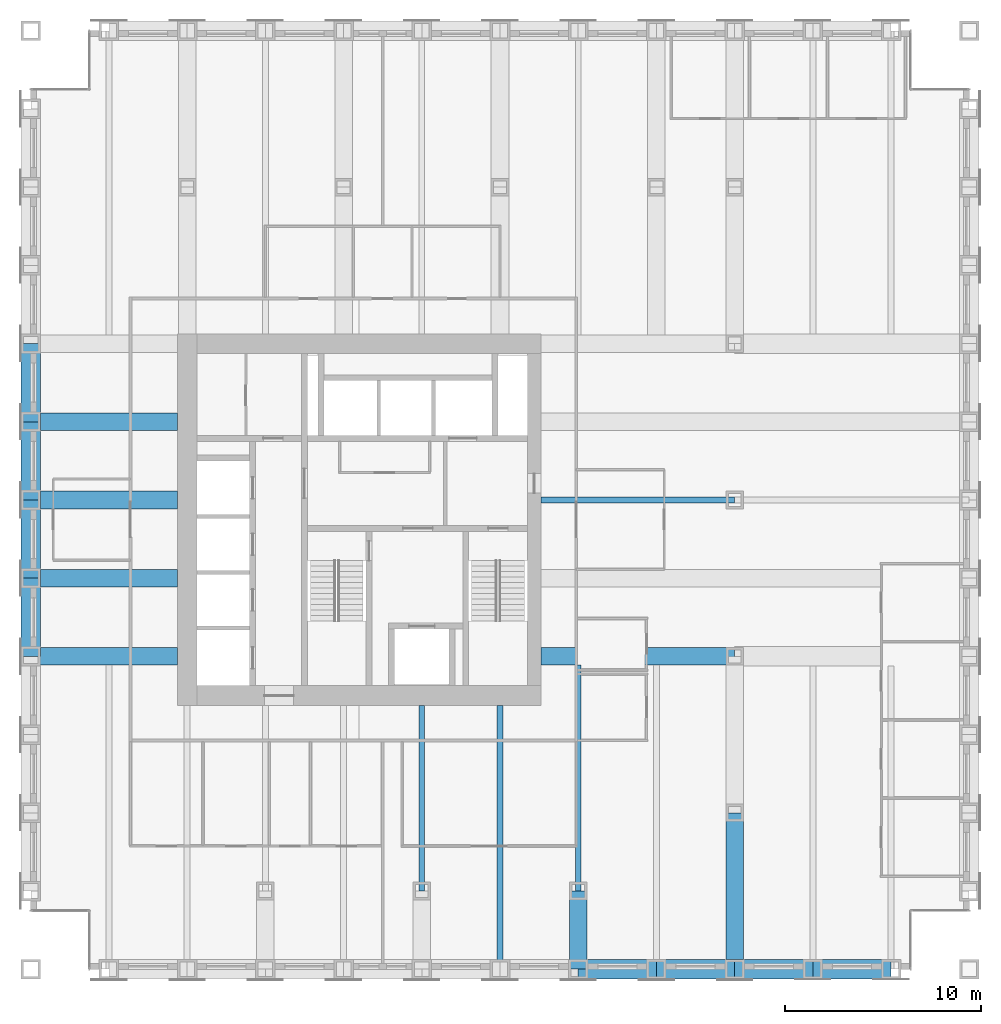
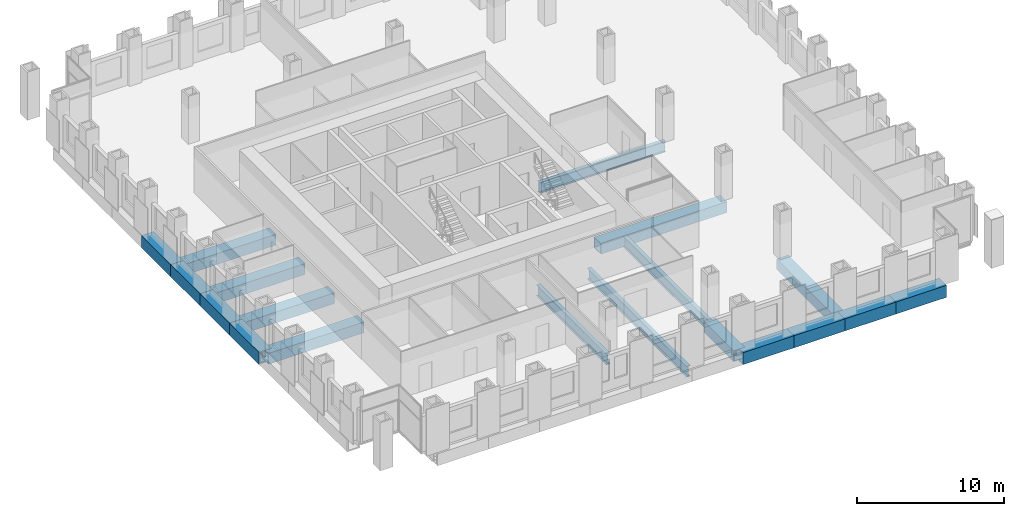
# One storey, part 3 of 16: 19 beams.
"""IFC4 building model written with IfcOpenShell, lengths in metres."""

from ifc_helpers import new_model, si_unit, direction, frame, origin, origin_2d, place, context, subcontext, project, spatial, hollow_rectangle, i_section, extrude, material, material_profile, profile_set, type_object, element, save


model = new_model("IFC4")

# Units and contexts
model_context = context("Model", 3, precision=1e-05, world=origin(), true_north=direction((0.0, 1.0)))
body_context = subcontext(model_context, "Body", "Model", "MODEL_VIEW")
ifc_project = project(units=[si_unit("LENGTHUNIT", "METRE"), si_unit("AREAUNIT", "SQUARE_METRE"), si_unit("VOLUMEUNIT", "CUBIC_METRE"), si_unit("PLANEANGLEUNIT", "RADIAN"), si_unit("MASSUNIT", "GRAM", prefix="KILO")], contexts=[model_context])

# Site, building, storey
site_placement = place(None, origin())
site = spatial("IfcSite", under=ifc_project, at=site_placement, CompositionType="ELEMENT")
building_placement = place(site_placement, origin())
building = spatial("IfcBuilding", under=site, at=building_placement, Name="Rimbunsela Tower", CompositionType="ELEMENT")
storey_placement = place(building_placement, frame((0.0, 0.0, 133.39990234375)))
storey = spatial("IfcBuildingStorey", under=building, at=storey_placement, Name="L32", CompositionType="ELEMENT", Elevation=133.39990234375)

# Beams
ifc_material_1 = material(Name="Steel BJ 55 (fy 410 MPa)", Category="steel")
ifc_material_profile_1 = material_profile(ifc_material_1, hollow_rectangle(XDim=1.0, YDim=1.0, WallThickness=0.10009765625, at=origin_2d()), Name="BOX 1000x1000x100")
ifc_profile_set_1 = profile_set([ifc_material_profile_1], Name="Steel BJ 55 (fy 410 MPa)")
beam_type_1 = type_object("IfcBeamType", Name="Beam BOX 1000x1000x100", PredefinedType="BEAM", material=ifc_profile_set_1)
for number, where, z_axis, x_axis, name in (
    (1, (10.0, 20.0, -0.64990234375), (0.0, 1.0, 0.0), (-1.0, 0.0, 0.0), "Beam B3 L32"),
    (2, (10.0, 24.0, -0.64990234375), (0.0, 1.0, 0.0), (-1.0, 0.0, 0.0), "Beam B3 L32"),
    (3, (10.0, 28.0, -0.64990234375), (0.0, 1.0, 0.0), (-1.0, 0.0, 0.0), "Beam B3 L32"),
    (4, (10.0, 32.0, -0.64990234375), (0.0, 1.0, 0.0), (-1.0, 0.0, 0.0), "Beam B3 L32"),
    (5, (38.0, 4.0, -0.64990234375), (1.0, 0.0, 0.0), (0.0, 1.0, 0.0), "Beam B3 L32"),
    (6, (42.0, 4.0, -0.64990234375), (1.0, 0.0, 0.0), (0.0, 1.0, 0.0), "Beam B3 L32"),
    (7, (46.0, 4.0, -0.64990234375), (1.0, 0.0, 0.0), (0.0, 1.0, 0.0), "Beam B3 L32"),
    (8, (50.0, 4.0, -0.64990234375), (1.0, 0.0, 0.0), (0.0, 1.0, 0.0), "Beam B3 L32"),
):
    element("IfcBeam", number, at=place(storey_placement, frame(where, z_axis=z_axis, x_axis=x_axis)), inside=storey, type_object=beam_type_1, Name=name, PredefinedType="BEAM", context=body_context, shape_type="SweptSolid", body=[
        extrude(hollow_rectangle(XDim=1.0, YDim=1.0, WallThickness=0.10009765625, at=origin_2d()), origin(), (0.0, 0.0, 1.0), 4.0),
    ])
ifc_material_2 = material(Name="Steel BJ 55 (fy 410 MPa)", Category="steel")
ifc_material_profile_2 = material_profile(ifc_material_2, hollow_rectangle(XDim=0.89990234375, YDim=0.89990234375, WallThickness=0.06005859375, at=origin_2d()), Name="BOX 900x900x60")
ifc_profile_set_2 = profile_set([ifc_material_profile_2], Name="Steel BJ 55 (fy 410 MPa)")
beam_type_2 = type_object("IfcBeamType", Name="Beam BOX 900x900x60", PredefinedType="BEAM", material=ifc_profile_set_2)
for number, where, z_axis, x_axis, name in (
    (9, (10.0, 20.0, -0.599853515625), (1.0, 0.0, 0.0), (0.0, 1.0, 0.0), "Beam B1 L32"),
    (10, (10.0, 24.0, -0.599853515625), (1.0, 0.0, 0.0), (0.0, 1.0, 0.0), "Beam B1 L32"),
    (11, (10.0, 28.0, -0.599853515625), (1.0, 0.0, 0.0), (0.0, 1.0, 0.0), "Beam B1 L32"),
    (12, (10.0, 32.0, -0.599853515625), (1.0, 0.0, 0.0), (0.0, 1.0, 0.0), "Beam B1 L32"),
):
    element("IfcBeam", number, at=place(storey_placement, frame(where, z_axis=z_axis, x_axis=x_axis)), inside=storey, type_object=beam_type_2, Name=name, PredefinedType="BEAM", context=body_context, shape_type="SweptSolid", body=[
        extrude(hollow_rectangle(XDim=0.89990234375, YDim=0.89990234375, WallThickness=0.06005859375, at=origin_2d()), origin(), (0.0, 0.0, 1.0), 7.5),
    ])
beam_1_placement = place(storey_placement, frame((36.10009765625, 20.0, -0.599853515625), z_axis=(1.0, 0.0, 0.0), x_axis=(0.0, 1.0, 0.0)))
element("IfcBeam", 13, at=beam_1_placement, inside=storey, type_object=beam_type_2, Name="Beam B1 L32", PredefinedType="BEAM", context=body_context, shape_type="SweptSolid", body=[
    extrude(hollow_rectangle(XDim=0.89990234375, YDim=0.89990234375, WallThickness=0.06005859375, at=origin_2d()), origin(), (0.0, 0.0, 1.0), 9.89990234375),
])
beam_2_placement = place(storey_placement, frame((38.0, 4.0, -0.599853515625), z_axis=(0.0, 1.0, 0.0), x_axis=(-1.0, 0.0, 0.0)))
element("IfcBeam", 14, at=beam_2_placement, inside=storey, type_object=beam_type_2, Name="Beam B1 L32", PredefinedType="BEAM", context=body_context, shape_type="SweptSolid", body=[
    extrude(hollow_rectangle(XDim=0.89990234375, YDim=0.89990234375, WallThickness=0.06005859375, at=origin_2d()), origin(), (0.0, 0.0, 1.0), 4.0),
])
beam_3_placement = place(storey_placement, frame((46.0, 4.0, -0.599853515625), z_axis=(0.0, 1.0, 0.0), x_axis=(-1.0, 0.0, 0.0)))
element("IfcBeam", 15, at=beam_3_placement, inside=storey, type_object=beam_type_2, Name="Beam B1 L32", PredefinedType="BEAM", context=body_context, shape_type="SweptSolid", body=[
    extrude(hollow_rectangle(XDim=0.89990234375, YDim=0.89990234375, WallThickness=0.06005859375, at=origin_2d()), origin(), (0.0, 0.0, 1.0), 8.0),
])
ifc_material_3 = material(Name="Steel BJ 55 (fy 410 MPa)", Category="steel")
ifc_material_profile_3 = material_profile(ifc_material_3, i_section(OverallWidth=0.300048828125, OverallDepth=0.89990234375, WebThickness=0.01611328125, FlangeThickness=0.028076171875, FilletRadius=0.028076171875, at=origin_2d()), Name="H 900x300x16x28")
ifc_profile_set_3 = profile_set([ifc_material_profile_3], Name="Steel BJ 55 (fy 410 MPa)")
beam_type_3 = type_object("IfcBeamType", Name="Beam H 900x300x16x28", PredefinedType="BEAM", material=ifc_profile_set_3)
beam_4_placement = place(storey_placement, frame((30.0, 8.0, -0.599853515625), z_axis=(0.0, 1.0, 0.0), x_axis=(-1.0, 0.0, 0.0)))
element("IfcBeam", 16, at=beam_4_placement, inside=storey, type_object=beam_type_3, Name="Beam B2 L32", PredefinedType="BEAM", context=body_context, shape_type="SweptSolid", body=[
    extrude(i_section(OverallWidth=0.300048828125, OverallDepth=0.89990234375, WebThickness=0.01611328125, FlangeThickness=0.028076171875, FilletRadius=0.028076171875, at=origin_2d()), origin(), (0.0, 0.0, 1.0), 9.5),
])
beam_5_placement = place(storey_placement, frame((34.0, 4.0, -0.599853515625), z_axis=(0.0, 1.0, 0.0), x_axis=(-1.0, 0.0, 0.0)))
element("IfcBeam", 17, at=beam_5_placement, inside=storey, type_object=beam_type_3, Name="Beam B2 L32", PredefinedType="BEAM", context=body_context, shape_type="SweptSolid", body=[
    extrude(i_section(OverallWidth=0.300048828125, OverallDepth=0.89990234375, WebThickness=0.01611328125, FlangeThickness=0.028076171875, FilletRadius=0.028076171875, at=origin_2d()), origin(), (0.0, 0.0, 1.0), 13.5),
])
beam_6_placement = place(storey_placement, frame((36.10009765625, 28.0, -0.599853515625), z_axis=(1.0, 0.0, 0.0), x_axis=(0.0, 1.0, 0.0)))
element("IfcBeam", 18, at=beam_6_placement, inside=storey, type_object=beam_type_3, Name="Beam B2 L32", PredefinedType="BEAM", context=body_context, shape_type="SweptSolid", body=[
    extrude(i_section(OverallWidth=0.300048828125, OverallDepth=0.89990234375, WebThickness=0.01611328125, FlangeThickness=0.028076171875, FilletRadius=0.028076171875, at=origin_2d()), origin(), (0.0, 0.0, 1.0), 9.89990234375),
])
beam_7_placement = place(storey_placement, frame((38.0, 8.0, -0.599853515625), z_axis=(0.0, 1.0, 0.0), x_axis=(-1.0, 0.0, 0.0)))
element("IfcBeam", 19, at=beam_7_placement, inside=storey, type_object=beam_type_3, Name="Beam B2 L32", PredefinedType="BEAM", context=body_context, shape_type="SweptSolid", body=[
    extrude(i_section(OverallWidth=0.300048828125, OverallDepth=0.89990234375, WebThickness=0.01611328125, FlangeThickness=0.028076171875, FilletRadius=0.028076171875, at=origin_2d()), origin(), (0.0, 0.0, 1.0), 11.550048828125),
])

save(model, "model.ifc")
